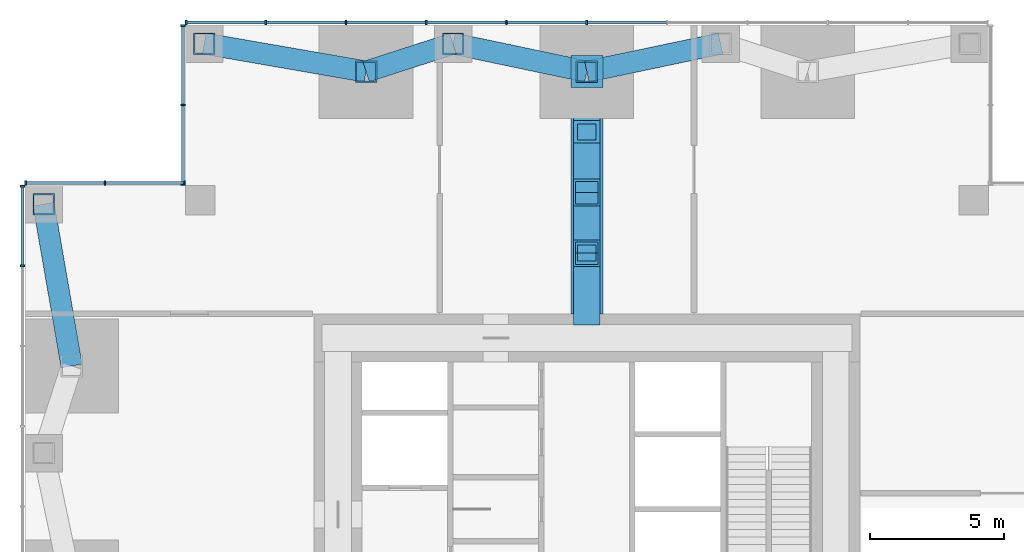
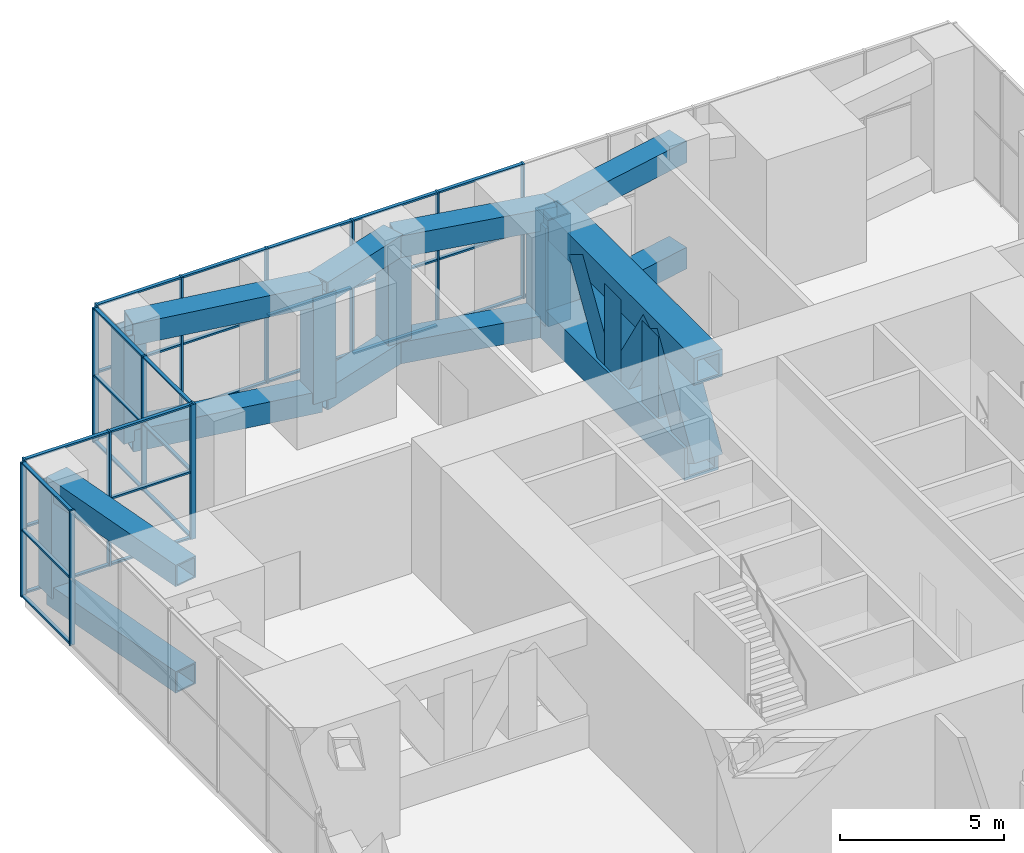
# One storey, part 7 of 13: 69 members, 4 elements without a shape of their own.
"""IFC4 building model written with IfcOpenShell, lengths in metres."""

import ifcopenshell
import ifcopenshell.guid

model = None  # the IFC model being written
_history = None  # IfcOwnerHistory: only IFC2X3 demands one
_inside = {}  # id of a spatial element -> (the spatial element, [elements in it])
_under = {}  # id of a project, library or spatial element -> (it, [spatial elements below it])
_declared = {}  # id of a project -> (the project, [libraries it declares])
_typed = {}  # id of a type object -> (the type object, [elements of that type])
_made_of = {}  # id of a material, layer set ... -> (it, [elements and type objects made of it])


def new_model(schema):
    """Start an empty IFC model of exactly this schema.

    Asked for "IFC4X3", IfcOpenShell would pick the latest addendum, in which some entities
    have other attributes; the version numbers below select the first issue.
    IFC2X3 requires an IfcOwnerHistory on every rooted entity: one is made here for all.
    """
    global model, _history
    if schema == "IFC4X3":
        model = ifcopenshell.file(schema_version=(4, 3, 0, 0))
    else:
        model = ifcopenshell.file(schema=schema)
    _inside.clear()
    _under.clear()
    _declared.clear()
    _typed.clear()
    _made_of.clear()
    _history = None
    if model.schema == "IFC2X3":
        org = make("IfcOrganization", Name="unknown")
        user = make(
            "IfcPersonAndOrganization",
            ThePerson=make("IfcPerson", FamilyName="unknown"),
            TheOrganization=org,
        )
        app = make(
            "IfcApplication",
            ApplicationDeveloper=org,
            Version="unknown",
            ApplicationFullName="unknown",
            ApplicationIdentifier="unknown",
        )
        _history = make(
            "IfcOwnerHistory",
            OwningUser=user,
            OwningApplication=app,
            ChangeAction="ADDED",
            CreationDate=0,
        )
    return model


def make(cls, **values):
    """One entity of the class cls with the attributes given. An attribute that is None is left unset."""
    return model.create_entity(
        cls, **{name: value for name, value in values.items() if value is not None}
    )


def rooted(cls, **values):
    """An entity with a GlobalId (a new one), such as an element, a storey or a relation."""
    return make(cls, GlobalId=ifcopenshell.guid.new(), OwnerHistory=_history, **values)


def si_unit(unit_type, name, prefix=None):
    """IfcSIUnit, for example si_unit("LENGTHUNIT", "METRE", prefix="MILLI")."""
    return make("IfcSIUnit", UnitType=unit_type, Prefix=prefix, Name=name)


def assignment(units):
    """IfcUnitAssignment: the units of a project."""
    return None if units is None else make("IfcUnitAssignment", Units=units)


def point(xyz):
    """IfcCartesianPoint."""
    return None if xyz is None else make("IfcCartesianPoint", Coordinates=xyz)


def direction(xyz):
    """IfcDirection."""
    return None if xyz is None else make("IfcDirection", DirectionRatios=xyz)


def frame(location, z_axis=None, x_axis=None):
    """IfcAxis2Placement3D, a coordinate frame: its origin and axes. An axis left out is left unset."""
    return make(
        "IfcAxis2Placement3D",
        Location=point(location),
        Axis=direction(z_axis),
        RefDirection=direction(x_axis),
    )


def frame_2d(location, x_axis=None):
    """IfcAxis2Placement2D, a coordinate frame in the plane: its origin and x axis."""
    return make(
        "IfcAxis2Placement2D", Location=point(location), RefDirection=direction(x_axis)
    )


def origin():
    """The frame at (0, 0, 0) with its axes left unset."""
    return frame((0.0, 0.0, 0.0))


def origin_2d():
    """The frame at (0, 0) in the plane with its x axis left unset."""
    return frame_2d((0.0, 0.0))


def place(relative_to, where):
    """IfcLocalPlacement: puts the frame where relative to a parent placement (None: the world)."""
    return make(
        "IfcLocalPlacement", PlacementRelTo=relative_to, RelativePlacement=where
    )


def context(
    kind, dimensions, precision=None, world=None, true_north=None, identifier=None
):
    """IfcGeometricRepresentationContext, for example the 3D "Model" context."""
    return make(
        "IfcGeometricRepresentationContext",
        ContextIdentifier=identifier,
        ContextType=kind,
        CoordinateSpaceDimension=dimensions,
        Precision=precision,
        WorldCoordinateSystem=world,
        TrueNorth=true_north,
    )


def subcontext(parent, identifier, kind, view, scale=None):
    """IfcGeometricRepresentationSubContext, for example "Body" below "Model"."""
    return make(
        "IfcGeometricRepresentationSubContext",
        ContextIdentifier=identifier,
        ContextType=kind,
        ParentContext=parent,
        TargetScale=scale,
        TargetView=view,
    )


def project(units=None, contexts=None):
    """IfcProject with its units and contexts."""
    return rooted(
        "IfcProject",
        Name="project",
        RepresentationContexts=contexts,
        UnitsInContext=assignment(units),
    )


def spatial(cls, under=None, at=None, **own):
    """A site, building, storey or space (cls), placed at a placement, below another one or the project."""
    s = rooted(cls, ObjectPlacement=at, **own)
    if under is not None:
        _under.setdefault(under.id(), (under, []))[1].append(s)
    return s


def profile(cls, at=None, kind="AREA", **sizes):
    """A parametric profile (cls). Its sizes go by their IFC names, for example OverallWidth=200.0."""
    return make(cls, ProfileType=kind, Position=at, **sizes)


def rectangle(**sizes):
    """IfcRectangleProfileDef."""
    return profile("IfcRectangleProfileDef", **sizes)


def hollow_rectangle(**sizes):
    """IfcRectangleHollowProfileDef."""
    return profile("IfcRectangleHollowProfileDef", **sizes)


def extrude(swept, where, along, depth):
    """IfcExtrudedAreaSolid: the profile swept, set in the frame where, extruded along a direction by depth."""
    return make(
        "IfcExtrudedAreaSolid",
        SweptArea=swept,
        Position=where,
        ExtrudedDirection=direction(along),
        Depth=depth,
    )


def shape(context_of_items, identifier, shape_type, items):
    """IfcShapeRepresentation: the items that make up one representation, for example the "Body"."""
    return make(
        "IfcShapeRepresentation",
        ContextOfItems=context_of_items,
        RepresentationIdentifier=identifier,
        RepresentationType=shape_type,
        Items=items,
    )


def material(Name=None, Category=None):
    """IfcMaterial."""
    return make("IfcMaterial", Name=Name, Category=Category)


def material_profile(
    of_material, cross_section, Name=None, Category=None, Priority=None
):
    """IfcMaterialProfile: a cross section and its material."""
    return make(
        "IfcMaterialProfile",
        Name=Name,
        Material=of_material,
        Profile=cross_section,
        Priority=Priority,
        Category=Category,
    )


def profile_set(profiles, Name=None, composite=None):
    """IfcMaterialProfileSet."""
    return make(
        "IfcMaterialProfileSet",
        Name=Name,
        MaterialProfiles=profiles,
        CompositeProfile=composite,
    )


def made_of(thing, what):
    """Note that an element or type object is made of a material, layer set ...; save() writes the relation."""
    if what is not None:
        _made_of.setdefault(what.id(), (what, []))[1].append(thing)
    return thing


def type_object(cls, material=None, **own):
    """A type object (cls), such as IfcWallType, which elements share."""
    return made_of(rooted(cls, **own), material)


def element(
    cls,
    number,
    at=None,
    inside=None,
    cuts=None,
    type_object=None,
    material=None,
    context=None,
    identifier="Body",
    shape_type=None,
    held_by="IfcProductDefinitionShape",
    body=None,
    shapes=None,
    **own,
):
    """One element of the class cls, such as IfcWall. Its Tag is "e" and its number.

    at: its placement. inside: the storey or other place that contains it. cuts: it is an
    opening in that element (IfcRelVoidsElement). A single representation is given by context,
    identifier, shape_type and body (its items); several are given by shapes. held_by: the class
    of the entity that holds the representations. save() writes the other relations.
    """
    e = rooted(cls, Tag="e%d" % number, ObjectPlacement=at, **own)
    if body is not None:
        shapes = [shape(context, identifier, shape_type, body)]
    if shapes is not None:
        e.Representation = make(held_by, Representations=shapes)
    if inside is not None:
        _inside.setdefault(inside.id(), (inside, []))[1].append(e)
    if cuts is not None:
        rooted(
            "IfcRelVoidsElement", RelatingBuildingElement=cuts, RelatedOpeningElement=e
        )
    if type_object is not None:
        _typed.setdefault(type_object.id(), (type_object, []))[1].append(e)
    return made_of(e, material)


def aggregate(whole, parts):
    """IfcRelAggregates: a whole, such as a stair, and the parts it consists of."""
    return rooted("IfcRelAggregates", RelatingObject=whole, RelatedObjects=parts)


def save(model, path):
    """Write the relations noted so far, then the file.

    IfcRelAggregates (storeys below a building ...), IfcRelContainedInSpatialStructure (elements
    in a storey), IfcRelDefinesByType, IfcRelAssociatesMaterial and IfcRelDeclares: one each for
    every whole, place, type object, material and project.
    """
    for whole, parts in _under.values():
        aggregate(whole, parts)
    for where, things in _inside.values():
        rooted(
            "IfcRelContainedInSpatialStructure",
            RelatedElements=things,
            RelatingStructure=where,
        )
    for kind, things in _typed.values():
        rooted("IfcRelDefinesByType", RelatedObjects=things, RelatingType=kind)
    for what, things in _made_of.values():
        rooted("IfcRelAssociatesMaterial", RelatedObjects=things, RelatingMaterial=what)
    for by, libraries in _declared.values():
        rooted("IfcRelDeclares", RelatingContext=by, RelatedDefinitions=libraries)
    model.write(path)


model = new_model("IFC4")

# Units and contexts
model_context = context("Model", 3, precision=1e-05, world=origin(), true_north=direction((0.0, 1.0)))
body_context = subcontext(model_context, "Body", "Model", "MODEL_VIEW")
ifc_project = project(units=[si_unit("LENGTHUNIT", "METRE"), si_unit("AREAUNIT", "SQUARE_METRE"), si_unit("VOLUMEUNIT", "CUBIC_METRE"), si_unit("PLANEANGLEUNIT", "RADIAN"), si_unit("MASSUNIT", "GRAM", prefix="KILO")], contexts=[model_context])

# Site, building, storey
site_placement = place(None, origin())
site = spatial("IfcSite", under=ifc_project, at=site_placement, CompositionType="ELEMENT")
building_placement = place(site_placement, origin())
building = spatial("IfcBuilding", under=site, at=building_placement, Name="Svetlomir Tower", CompositionType="ELEMENT")
storey_placement = place(building_placement, frame((0.0, 0.0, 86.5)))
storey = spatial("IfcBuildingStorey", under=building, at=storey_placement, Name="L20", CompositionType="ELEMENT", Elevation=86.5)

# Members
ifc_material_1 = material(Name="Steel S355", Category="steel")
ifc_material_profile_1 = material_profile(ifc_material_1, hollow_rectangle(XDim=0.800048828125, YDim=0.800048828125, WallThickness=0.050048828125, at=origin_2d()), Name="BOX 800x800x50")
ifc_profile_set_1 = profile_set([ifc_material_profile_1], Name="Steel S355")
member_type_1 = type_object("IfcMemberType", Name="BELT FRAME CHORD BOX 800x800x50", PredefinedType="CHORD", material=ifc_profile_set_1)
for number, where, z_axis, x_axis, name in (
    (1, (6.699951171875, 41.300048828125, 0.39990234375), (0.985270350891, -0.171003905378, 0.0), (0.171003905378, 0.985270350891, 0.0), "Belt frame N L20 bottom chord 1"),
    (2, (6.699951171875, 41.300048828125, 4.35009765625), (0.985270350891, -0.171003905378, 0.0), (0.171003905378, 0.985270350891, 0.0), "Belt frame N L20 top chord 1"),
):
    element("IfcMember", number, at=place(storey_placement, frame(where, z_axis=z_axis, x_axis=x_axis)), inside=storey, type_object=member_type_1, Name=name, PredefinedType="CHORD", context=body_context, shape_type="SweptSolid", body=[
        extrude(hollow_rectangle(XDim=0.800048828125, YDim=0.800048828125, WallThickness=0.050048828125, at=origin_2d()), origin(), (0.0, 0.0, 1.0), 6.140380859375),
    ])
for number, where, z_axis, x_axis, name in (
    (3, (12.75, 40.25, 0.39990234375), (0.951566360503, 0.307443428225, 0.0), (-0.307443428225, 0.951566360503, 0.0), "Belt frame N L20 bottom chord 2"),
    (4, (12.75, 40.25, 4.35009765625), (0.951566360503, 0.307443428225, 0.0), (-0.307443428225, 0.951566360503, 0.0), "Belt frame N L20 top chord 2"),
):
    element("IfcMember", number, at=place(storey_placement, frame(where, z_axis=z_axis, x_axis=x_axis)), inside=storey, type_object=member_type_1, Name=name, PredefinedType="CHORD", context=body_context, shape_type="SweptSolid", body=[
        extrude(hollow_rectangle(XDim=0.800048828125, YDim=0.800048828125, WallThickness=0.050048828125, at=origin_2d()), origin(), (0.0, 0.0, 1.0), 3.41552734375),
    ])
for number, where, z_axis, x_axis, name in (
    (5, (16.0, 41.300048828125, 0.39990234375), (0.978651574329, -0.205526387753, 0.0), (0.205526387753, 0.978651574329, 0.0), "Belt frame N L20 bottom chord 3"),
    (6, (16.0, 41.300048828125, 4.35009765625), (0.978651574329, -0.205526387753, 0.0), (0.205526387753, 0.978651574329, 0.0), "Belt frame N L20 top chord 3"),
    (7, (21.0, 40.25, 0.39990234375), (0.978651574329, 0.205526387753, 0.0), (-0.205526387753, 0.978651574329, 0.0), "Belt frame N L20 bottom chord 4"),
    (8, (21.0, 40.25, 4.35009765625), (0.978651574329, 0.205526387753, 0.0), (-0.205526387753, 0.978651574329, 0.0), "Belt frame N L20 top chord 4"),
):
    element("IfcMember", number, at=place(storey_placement, frame(where, z_axis=z_axis, x_axis=x_axis)), inside=storey, type_object=member_type_1, Name=name, PredefinedType="CHORD", context=body_context, shape_type="SweptSolid", body=[
        extrude(hollow_rectangle(XDim=0.800048828125, YDim=0.800048828125, WallThickness=0.050048828125, at=origin_2d()), origin(), (0.0, 0.0, 1.0), 5.109130859375),
    ])
for number, where, z_axis, x_axis, name in (
    (9, (1.75, 29.25, 0.39990234375), (-0.171003905378, 0.985270350891, 0.0), (-0.985270350891, -0.171003905378, 0.0), "Belt frame W L20 bottom chord 6"),
    (10, (1.75, 29.25, 4.35009765625), (-0.171003905378, 0.985270350891, 0.0), (-0.985270350891, -0.171003905378, 0.0), "Belt frame W L20 top chord 6"),
):
    element("IfcMember", number, at=place(storey_placement, frame(where, z_axis=z_axis, x_axis=x_axis)), inside=storey, type_object=member_type_1, Name=name, PredefinedType="CHORD", context=body_context, shape_type="SweptSolid", body=[
        extrude(hollow_rectangle(XDim=0.800048828125, YDim=0.800048828125, WallThickness=0.050048828125, at=origin_2d()), origin(), (0.0, 0.0, 1.0), 6.140380859375),
    ])
ifc_material_2 = material(Name="Steel S355", Category="steel")
ifc_material_profile_2 = material_profile(ifc_material_2, hollow_rectangle(XDim=0.800048828125, YDim=0.800048828125, WallThickness=0.050048828125, at=origin_2d()), Name="BOX 800x800x50")
ifc_profile_set_2 = profile_set([ifc_material_profile_2], Name="Steel S355")
member_type_2 = type_object("IfcMemberType", Name="BELT FRAME POST BOX 800x800x50", PredefinedType="POST", material=ifc_profile_set_2)
for number, where, z_axis, x_axis, name in (
    (11, (6.699951171875, 41.300048828125, 0.39990234375), (0.0, 0.0, 1.0), (1.0, 0.0, 0.0), "Belt frame N L20 post 1"),
    (12, (12.75, 40.25, 0.39990234375), (0.0, 0.0, 1.0), (1.0, 0.0, 0.0), "Belt frame N L20 post 2"),
    (13, (16.0, 41.300048828125, 0.39990234375), (0.0, 0.0, 1.0), (1.0, 0.0, 0.0), "Belt frame N L20 post 3"),
    (14, (21.0, 40.25, 0.39990234375), (0.0, 0.0, 1.0), (1.0, 0.0, 0.0), "Belt frame N L20 post 4"),
    (15, (0.699951171875, 35.300048828125, 0.39990234375), (0.0, 0.0, 1.0), (1.0, 0.0, 0.0), "Belt frame W L20 post 7"),
):
    element("IfcMember", number, at=place(storey_placement, frame(where, z_axis=z_axis, x_axis=x_axis)), inside=storey, type_object=member_type_2, Name=name, PredefinedType="POST", context=body_context, shape_type="SweptSolid", body=[
        extrude(hollow_rectangle(XDim=0.800048828125, YDim=0.800048828125, WallThickness=0.050048828125, at=origin_2d()), origin(), (0.0, 0.0, 1.0), 3.9501953125),
    ])

# Curtain wall, members
ifc_material_3 = material(Name="Bronze anodised aluminium curtain wall", Category="aluminium")
curtain_wall_type = type_object("IfcCurtainWallType", Name="CURTAIN WALL CW3 PLANT LOUVRE", PredefinedType="NOTDEFINED", material=ifc_material_3)
curtain_wall_1_placement = place(storey_placement, origin())
curtain_wall_1 = element("IfcCurtainWall", 16, at=curtain_wall_1_placement, inside=storey, type_object=curtain_wall_type, Name="Curtain wall CW3 L20", PredefinedType="NOTDEFINED")
ifc_material_4 = material(Name="Bronze anodised aluminium", Category="aluminium")
ifc_material_profile_3 = material_profile(ifc_material_4, rectangle(XDim=0.06494140625, YDim=0.179931640625, at=origin_2d()), Name="AL 65x180")
ifc_profile_set_3 = profile_set([ifc_material_profile_3], Name="Bronze anodised aluminium 6063-T6")
member_type_3 = type_object("IfcMemberType", Name="CW3 MULLION 65x180", PredefinedType="MULLION", material=ifc_profile_set_3)
member_1_placement = place(storey_placement, frame((21.0, 42.090087890625, 0.0), z_axis=(0.0, 0.0, 1.0), x_axis=(-1.0, 0.0, 0.0)))
member_1 = element("IfcMember", 17, at=member_1_placement, type_object=member_type_3, Name="CW3 mullion 6", PredefinedType="MULLION", context=body_context, shape_type="SweptSolid", body=[
    extrude(rectangle(XDim=0.06494140625, YDim=0.179931640625, at=origin_2d()), origin(), (0.0, 0.0, 1.0), 5.0),
])
member_2_placement = place(storey_placement, frame((18.0, 42.090087890625, 0.0), z_axis=(0.0, 0.0, 1.0), x_axis=(-1.0, 0.0, 0.0)))
member_2 = element("IfcMember", 18, at=member_2_placement, type_object=member_type_3, Name="CW3 mullion 7", PredefinedType="MULLION", context=body_context, shape_type="SweptSolid", body=[
    extrude(rectangle(XDim=0.06494140625, YDim=0.179931640625, at=origin_2d()), origin(), (0.0, 0.0, 1.0), 5.0),
])
member_3_placement = place(storey_placement, frame((15.0, 42.090087890625, 0.0), z_axis=(0.0, 0.0, 1.0), x_axis=(-1.0, 0.0, 0.0)))
member_3 = element("IfcMember", 19, at=member_3_placement, type_object=member_type_3, Name="CW3 mullion 8", PredefinedType="MULLION", context=body_context, shape_type="SweptSolid", body=[
    extrude(rectangle(XDim=0.06494140625, YDim=0.179931640625, at=origin_2d()), origin(), (0.0, 0.0, 1.0), 5.0),
])
member_4_placement = place(storey_placement, frame((12.0, 42.090087890625, 0.0), z_axis=(0.0, 0.0, 1.0), x_axis=(-1.0, 0.0, 0.0)))
member_4 = element("IfcMember", 20, at=member_4_placement, type_object=member_type_3, Name="CW3 mullion 9", PredefinedType="MULLION", context=body_context, shape_type="SweptSolid", body=[
    extrude(rectangle(XDim=0.06494140625, YDim=0.179931640625, at=origin_2d()), origin(), (0.0, 0.0, 1.0), 5.0),
])
member_5_placement = place(storey_placement, frame((9.0, 42.090087890625, 0.0), z_axis=(0.0, 0.0, 1.0), x_axis=(-1.0, 0.0, 0.0)))
member_5 = element("IfcMember", 21, at=member_5_placement, type_object=member_type_3, Name="CW3 mullion 10", PredefinedType="MULLION", context=body_context, shape_type="SweptSolid", body=[
    extrude(rectangle(XDim=0.06494140625, YDim=0.179931640625, at=origin_2d()), origin(), (0.0, 0.0, 1.0), 5.0),
])
member_6_placement = place(storey_placement, frame((6.032470703125, 42.090087890625, 0.0), z_axis=(0.0, 0.0, 1.0), x_axis=(-1.0, 0.0, 0.0)))
member_6 = element("IfcMember", 22, at=member_6_placement, type_object=member_type_3, Name="CW3 mullion 11", PredefinedType="MULLION", context=body_context, shape_type="SweptSolid", body=[
    extrude(rectangle(XDim=0.06494140625, YDim=0.179931640625, at=origin_2d()), origin(), (0.0, 0.0, 1.0), 5.0),
])

curtain_wall_2_placement = place(storey_placement, origin())
curtain_wall_2 = element("IfcCurtainWall", 23, at=curtain_wall_2_placement, inside=storey, type_object=curtain_wall_type, Name="Curtain wall CW3 L20", PredefinedType="NOTDEFINED")
member_7_placement = place(storey_placement, frame((5.909912109375, 41.967529296875, 0.0), z_axis=(0.0, 0.0, 1.0), x_axis=(0.0, -1.0, 0.0)))
member_7 = element("IfcMember", 24, at=member_7_placement, type_object=member_type_3, Name="CW3 mullion 1", PredefinedType="MULLION", context=body_context, shape_type="SweptSolid", body=[
    extrude(rectangle(XDim=0.06494140625, YDim=0.179931640625, at=origin_2d()), origin(), (0.0, 0.0, 1.0), 5.0),
])
member_8_placement = place(storey_placement, frame((5.909912109375, 39.0, 0.0), z_axis=(0.0, 0.0, 1.0), x_axis=(0.0, -1.0, 0.0)))
member_8 = element("IfcMember", 25, at=member_8_placement, type_object=member_type_3, Name="CW3 mullion 2", PredefinedType="MULLION", context=body_context, shape_type="SweptSolid", body=[
    extrude(rectangle(XDim=0.06494140625, YDim=0.179931640625, at=origin_2d()), origin(), (0.0, 0.0, 1.0), 5.0),
])
member_9_placement = place(storey_placement, frame((5.909912109375, 36.032470703125, 0.0), z_axis=(0.0, 0.0, 1.0), x_axis=(0.0, -1.0, 0.0)))
member_9 = element("IfcMember", 26, at=member_9_placement, type_object=member_type_3, Name="CW3 mullion 3", PredefinedType="MULLION", context=body_context, shape_type="SweptSolid", body=[
    extrude(rectangle(XDim=0.06494140625, YDim=0.179931640625, at=origin_2d()), origin(), (0.0, 0.0, 1.0), 5.0),
])

curtain_wall_3_placement = place(storey_placement, origin())
curtain_wall_3 = element("IfcCurtainWall", 27, at=curtain_wall_3_placement, inside=storey, type_object=curtain_wall_type, Name="Curtain wall CW3 L20", PredefinedType="NOTDEFINED")
member_10_placement = place(storey_placement, frame((5.967529296875, 36.090087890625, 0.0), z_axis=(0.0, 0.0, 1.0), x_axis=(-1.0, 0.0, 0.0)))
member_10 = element("IfcMember", 28, at=member_10_placement, type_object=member_type_3, Name="CW3 mullion 1", PredefinedType="MULLION", context=body_context, shape_type="SweptSolid", body=[
    extrude(rectangle(XDim=0.06494140625, YDim=0.179931640625, at=origin_2d()), origin(), (0.0, 0.0, 1.0), 5.0),
])
member_11_placement = place(storey_placement, frame((3.0, 36.090087890625, 0.0), z_axis=(0.0, 0.0, 1.0), x_axis=(-1.0, 0.0, 0.0)))
member_11 = element("IfcMember", 29, at=member_11_placement, type_object=member_type_3, Name="CW3 mullion 2", PredefinedType="MULLION", context=body_context, shape_type="SweptSolid", body=[
    extrude(rectangle(XDim=0.06494140625, YDim=0.179931640625, at=origin_2d()), origin(), (0.0, 0.0, 1.0), 5.0),
])
member_12_placement = place(storey_placement, frame((0.032470703125, 36.090087890625, 0.0), z_axis=(0.0, 0.0, 1.0), x_axis=(-1.0, 0.0, 0.0)))
member_12 = element("IfcMember", 30, at=member_12_placement, type_object=member_type_3, Name="CW3 mullion 3", PredefinedType="MULLION", context=body_context, shape_type="SweptSolid", body=[
    extrude(rectangle(XDim=0.06494140625, YDim=0.179931640625, at=origin_2d()), origin(), (0.0, 0.0, 1.0), 5.0),
])

curtain_wall_4_placement = place(storey_placement, origin())
curtain_wall_4 = element("IfcCurtainWall", 31, at=curtain_wall_4_placement, inside=storey, type_object=curtain_wall_type, Name="Curtain wall CW3 L20", PredefinedType="NOTDEFINED")
member_13_placement = place(storey_placement, frame((-0.090087890625, 35.967529296875, 0.0), z_axis=(0.0, 0.0, 1.0), x_axis=(0.0, -1.0, 0.0)))
member_13 = element("IfcMember", 32, at=member_13_placement, type_object=member_type_3, Name="CW3 mullion 1", PredefinedType="MULLION", context=body_context, shape_type="SweptSolid", body=[
    extrude(rectangle(XDim=0.06494140625, YDim=0.179931640625, at=origin_2d()), origin(), (0.0, 0.0, 1.0), 5.0),
])
member_14_placement = place(storey_placement, frame((-0.090087890625, 33.0, 0.0), z_axis=(0.0, 0.0, 1.0), x_axis=(0.0, -1.0, 0.0)))
member_14 = element("IfcMember", 33, at=member_14_placement, type_object=member_type_3, Name="CW3 mullion 2", PredefinedType="MULLION", context=body_context, shape_type="SweptSolid", body=[
    extrude(rectangle(XDim=0.06494140625, YDim=0.179931640625, at=origin_2d()), origin(), (0.0, 0.0, 1.0), 5.0),
])

# Member
ifc_material_5 = material(Name="Bronze anodised aluminium", Category="aluminium")
ifc_material_profile_4 = material_profile(ifc_material_5, rectangle(XDim=0.1201171875, YDim=0.06494140625, at=origin_2d()), Name="AL 120x65")
ifc_profile_set_4 = profile_set([ifc_material_profile_4], Name="Bronze anodised aluminium 6063-T6")
member_type_4 = type_object("IfcMemberType", Name="CW3 TRANSOM 65x120", PredefinedType="USERDEFINED", material=ifc_profile_set_4)
member_15_placement = place(storey_placement, frame((23.967529296875, 42.090087890625, 0.032470703125), z_axis=(-1.0, 0.0, 0.0), x_axis=(0.0, -1.0, 0.0)))
member_15 = element("IfcMember", 34, at=member_15_placement, type_object=member_type_4, Name="CW3 transom 5.1", ObjectType="TRANSOM", PredefinedType="USERDEFINED", context=body_context, shape_type="SweptSolid", body=[
    extrude(rectangle(XDim=0.1201171875, YDim=0.06494140625, at=origin_2d()), origin(), (0.0, 0.0, 1.0), 2.93505859375),
])

member_16_placement = place(storey_placement, frame((23.967529296875, 42.090087890625, 2.48388671875), z_axis=(-1.0, 0.0, 0.0), x_axis=(0.0, -1.0, 0.0)))
member_16 = element("IfcMember", 35, at=member_16_placement, type_object=member_type_4, Name="CW3 transom 5.2", ObjectType="TRANSOM", PredefinedType="USERDEFINED", context=body_context, shape_type="SweptSolid", body=[
    extrude(rectangle(XDim=0.1201171875, YDim=0.06494140625, at=origin_2d()), origin(), (0.0, 0.0, 1.0), 2.93505859375),
])

member_17_placement = place(storey_placement, frame((20.967529296875, 42.090087890625, 0.032470703125), z_axis=(-1.0, 0.0, 0.0), x_axis=(0.0, -1.0, 0.0)))
member_17 = element("IfcMember", 36, at=member_17_placement, type_object=member_type_4, Name="CW3 transom 6.1", ObjectType="TRANSOM", PredefinedType="USERDEFINED", context=body_context, shape_type="SweptSolid", body=[
    extrude(rectangle(XDim=0.1201171875, YDim=0.06494140625, at=origin_2d()), origin(), (0.0, 0.0, 1.0), 2.93505859375),
])

member_18_placement = place(storey_placement, frame((20.967529296875, 42.090087890625, 2.48388671875), z_axis=(-1.0, 0.0, 0.0), x_axis=(0.0, -1.0, 0.0)))
member_18 = element("IfcMember", 37, at=member_18_placement, type_object=member_type_4, Name="CW3 transom 6.2", ObjectType="TRANSOM", PredefinedType="USERDEFINED", context=body_context, shape_type="SweptSolid", body=[
    extrude(rectangle(XDim=0.1201171875, YDim=0.06494140625, at=origin_2d()), origin(), (0.0, 0.0, 1.0), 2.93505859375),
])

member_19_placement = place(storey_placement, frame((20.967529296875, 42.090087890625, 4.967529296875), z_axis=(-1.0, 0.0, 0.0), x_axis=(0.0, -1.0, 0.0)))
member_19 = element("IfcMember", 38, at=member_19_placement, type_object=member_type_4, Name="CW3 transom 6.3", ObjectType="TRANSOM", PredefinedType="USERDEFINED", context=body_context, shape_type="SweptSolid", body=[
    extrude(rectangle(XDim=0.1201171875, YDim=0.06494140625, at=origin_2d()), origin(), (0.0, 0.0, 1.0), 2.93505859375),
])

member_20_placement = place(storey_placement, frame((17.967529296875, 42.090087890625, 0.032470703125), z_axis=(-1.0, 0.0, 0.0), x_axis=(0.0, -1.0, 0.0)))
member_20 = element("IfcMember", 39, at=member_20_placement, type_object=member_type_4, Name="CW3 transom 7.1", ObjectType="TRANSOM", PredefinedType="USERDEFINED", context=body_context, shape_type="SweptSolid", body=[
    extrude(rectangle(XDim=0.1201171875, YDim=0.06494140625, at=origin_2d()), origin(), (0.0, 0.0, 1.0), 2.93505859375),
])

member_21_placement = place(storey_placement, frame((17.967529296875, 42.090087890625, 2.48388671875), z_axis=(-1.0, 0.0, 0.0), x_axis=(0.0, -1.0, 0.0)))
member_21 = element("IfcMember", 40, at=member_21_placement, type_object=member_type_4, Name="CW3 transom 7.2", ObjectType="TRANSOM", PredefinedType="USERDEFINED", context=body_context, shape_type="SweptSolid", body=[
    extrude(rectangle(XDim=0.1201171875, YDim=0.06494140625, at=origin_2d()), origin(), (0.0, 0.0, 1.0), 2.93505859375),
])

member_22_placement = place(storey_placement, frame((17.967529296875, 42.090087890625, 4.967529296875), z_axis=(-1.0, 0.0, 0.0), x_axis=(0.0, -1.0, 0.0)))
member_22 = element("IfcMember", 41, at=member_22_placement, type_object=member_type_4, Name="CW3 transom 7.3", ObjectType="TRANSOM", PredefinedType="USERDEFINED", context=body_context, shape_type="SweptSolid", body=[
    extrude(rectangle(XDim=0.1201171875, YDim=0.06494140625, at=origin_2d()), origin(), (0.0, 0.0, 1.0), 2.93505859375),
])

member_23_placement = place(storey_placement, frame((14.967529296875, 42.090087890625, 0.032470703125), z_axis=(-1.0, 0.0, 0.0), x_axis=(0.0, -1.0, 0.0)))
member_23 = element("IfcMember", 42, at=member_23_placement, type_object=member_type_4, Name="CW3 transom 8.1", ObjectType="TRANSOM", PredefinedType="USERDEFINED", context=body_context, shape_type="SweptSolid", body=[
    extrude(rectangle(XDim=0.1201171875, YDim=0.06494140625, at=origin_2d()), origin(), (0.0, 0.0, 1.0), 2.93505859375),
])

member_24_placement = place(storey_placement, frame((14.967529296875, 42.090087890625, 2.48388671875), z_axis=(-1.0, 0.0, 0.0), x_axis=(0.0, -1.0, 0.0)))
member_24 = element("IfcMember", 43, at=member_24_placement, type_object=member_type_4, Name="CW3 transom 8.2", ObjectType="TRANSOM", PredefinedType="USERDEFINED", context=body_context, shape_type="SweptSolid", body=[
    extrude(rectangle(XDim=0.1201171875, YDim=0.06494140625, at=origin_2d()), origin(), (0.0, 0.0, 1.0), 2.93505859375),
])

member_25_placement = place(storey_placement, frame((14.967529296875, 42.090087890625, 4.967529296875), z_axis=(-1.0, 0.0, 0.0), x_axis=(0.0, -1.0, 0.0)))
member_25 = element("IfcMember", 44, at=member_25_placement, type_object=member_type_4, Name="CW3 transom 8.3", ObjectType="TRANSOM", PredefinedType="USERDEFINED", context=body_context, shape_type="SweptSolid", body=[
    extrude(rectangle(XDim=0.1201171875, YDim=0.06494140625, at=origin_2d()), origin(), (0.0, 0.0, 1.0), 2.93505859375),
])

member_26_placement = place(storey_placement, frame((11.967529296875, 42.090087890625, 0.032470703125), z_axis=(-1.0, 0.0, 0.0), x_axis=(0.0, -1.0, 0.0)))
member_26 = element("IfcMember", 45, at=member_26_placement, type_object=member_type_4, Name="CW3 transom 9.1", ObjectType="TRANSOM", PredefinedType="USERDEFINED", context=body_context, shape_type="SweptSolid", body=[
    extrude(rectangle(XDim=0.1201171875, YDim=0.06494140625, at=origin_2d()), origin(), (0.0, 0.0, 1.0), 2.93505859375),
])

member_27_placement = place(storey_placement, frame((11.967529296875, 42.090087890625, 2.48388671875), z_axis=(-1.0, 0.0, 0.0), x_axis=(0.0, -1.0, 0.0)))
member_27 = element("IfcMember", 46, at=member_27_placement, type_object=member_type_4, Name="CW3 transom 9.2", ObjectType="TRANSOM", PredefinedType="USERDEFINED", context=body_context, shape_type="SweptSolid", body=[
    extrude(rectangle(XDim=0.1201171875, YDim=0.06494140625, at=origin_2d()), origin(), (0.0, 0.0, 1.0), 2.93505859375),
])

member_28_placement = place(storey_placement, frame((11.967529296875, 42.090087890625, 4.967529296875), z_axis=(-1.0, 0.0, 0.0), x_axis=(0.0, -1.0, 0.0)))
member_28 = element("IfcMember", 47, at=member_28_placement, type_object=member_type_4, Name="CW3 transom 9.3", ObjectType="TRANSOM", PredefinedType="USERDEFINED", context=body_context, shape_type="SweptSolid", body=[
    extrude(rectangle(XDim=0.1201171875, YDim=0.06494140625, at=origin_2d()), origin(), (0.0, 0.0, 1.0), 2.93505859375),
])

member_29_placement = place(storey_placement, frame((8.967529296875, 42.090087890625, 0.032470703125), z_axis=(-1.0, 0.0, 0.0), x_axis=(0.0, -1.0, 0.0)))
member_29 = element("IfcMember", 48, at=member_29_placement, type_object=member_type_4, Name="CW3 transom 10.1", ObjectType="TRANSOM", PredefinedType="USERDEFINED", context=body_context, shape_type="SweptSolid", body=[
    extrude(rectangle(XDim=0.1201171875, YDim=0.06494140625, at=origin_2d()), origin(), (0.0, 0.0, 1.0), 2.902587890625),
])

member_30_placement = place(storey_placement, frame((8.967529296875, 42.090087890625, 2.48388671875), z_axis=(-1.0, 0.0, 0.0), x_axis=(0.0, -1.0, 0.0)))
member_30 = element("IfcMember", 49, at=member_30_placement, type_object=member_type_4, Name="CW3 transom 10.2", ObjectType="TRANSOM", PredefinedType="USERDEFINED", context=body_context, shape_type="SweptSolid", body=[
    extrude(rectangle(XDim=0.1201171875, YDim=0.06494140625, at=origin_2d()), origin(), (0.0, 0.0, 1.0), 2.902587890625),
])

member_31_placement = place(storey_placement, frame((8.967529296875, 42.090087890625, 4.967529296875), z_axis=(-1.0, 0.0, 0.0), x_axis=(0.0, -1.0, 0.0)))
member_31 = element("IfcMember", 50, at=member_31_placement, type_object=member_type_4, Name="CW3 transom 10.3", ObjectType="TRANSOM", PredefinedType="USERDEFINED", context=body_context, shape_type="SweptSolid", body=[
    extrude(rectangle(XDim=0.1201171875, YDim=0.06494140625, at=origin_2d()), origin(), (0.0, 0.0, 1.0), 2.902587890625),
])

aggregate(curtain_wall_1, [member_1, member_2, member_3, member_4, member_5, member_6, member_15, member_16, member_17, member_18, member_19, member_20, member_21, member_22, member_23, member_24, member_25, member_26, member_27, member_28, member_29, member_30, member_31])

member_32_placement = place(storey_placement, frame((5.909912109375, 41.93505859375, 0.032470703125), z_axis=(0.0, -1.0, 0.0), x_axis=(1.0, 0.0, 0.0)))
member_32 = element("IfcMember", 51, at=member_32_placement, type_object=member_type_4, Name="CW3 transom 1.1", ObjectType="TRANSOM", PredefinedType="USERDEFINED", context=body_context, shape_type="SweptSolid", body=[
    extrude(rectangle(XDim=0.1201171875, YDim=0.06494140625, at=origin_2d()), origin(), (0.0, 0.0, 1.0), 2.902587890625),
])

member_33_placement = place(storey_placement, frame((5.909912109375, 41.93505859375, 2.48388671875), z_axis=(0.0, -1.0, 0.0), x_axis=(1.0, 0.0, 0.0)))
member_33 = element("IfcMember", 52, at=member_33_placement, type_object=member_type_4, Name="CW3 transom 1.2", ObjectType="TRANSOM", PredefinedType="USERDEFINED", context=body_context, shape_type="SweptSolid", body=[
    extrude(rectangle(XDim=0.1201171875, YDim=0.06494140625, at=origin_2d()), origin(), (0.0, 0.0, 1.0), 2.902587890625),
])

member_34_placement = place(storey_placement, frame((5.909912109375, 41.93505859375, 4.967529296875), z_axis=(0.0, -1.0, 0.0), x_axis=(1.0, 0.0, 0.0)))
member_34 = element("IfcMember", 53, at=member_34_placement, type_object=member_type_4, Name="CW3 transom 1.3", ObjectType="TRANSOM", PredefinedType="USERDEFINED", context=body_context, shape_type="SweptSolid", body=[
    extrude(rectangle(XDim=0.1201171875, YDim=0.06494140625, at=origin_2d()), origin(), (0.0, 0.0, 1.0), 2.902587890625),
])

member_35_placement = place(storey_placement, frame((5.909912109375, 38.967529296875, 0.032470703125), z_axis=(0.0, -1.0, 0.0), x_axis=(1.0, 0.0, 0.0)))
member_35 = element("IfcMember", 54, at=member_35_placement, type_object=member_type_4, Name="CW3 transom 2.1", ObjectType="TRANSOM", PredefinedType="USERDEFINED", context=body_context, shape_type="SweptSolid", body=[
    extrude(rectangle(XDim=0.1201171875, YDim=0.06494140625, at=origin_2d()), origin(), (0.0, 0.0, 1.0), 2.902587890625),
])

member_36_placement = place(storey_placement, frame((5.909912109375, 38.967529296875, 2.48388671875), z_axis=(0.0, -1.0, 0.0), x_axis=(1.0, 0.0, 0.0)))
member_36 = element("IfcMember", 55, at=member_36_placement, type_object=member_type_4, Name="CW3 transom 2.2", ObjectType="TRANSOM", PredefinedType="USERDEFINED", context=body_context, shape_type="SweptSolid", body=[
    extrude(rectangle(XDim=0.1201171875, YDim=0.06494140625, at=origin_2d()), origin(), (0.0, 0.0, 1.0), 2.902587890625),
])

member_37_placement = place(storey_placement, frame((5.909912109375, 38.967529296875, 4.967529296875), z_axis=(0.0, -1.0, 0.0), x_axis=(1.0, 0.0, 0.0)))
member_37 = element("IfcMember", 56, at=member_37_placement, type_object=member_type_4, Name="CW3 transom 2.3", ObjectType="TRANSOM", PredefinedType="USERDEFINED", context=body_context, shape_type="SweptSolid", body=[
    extrude(rectangle(XDim=0.1201171875, YDim=0.06494140625, at=origin_2d()), origin(), (0.0, 0.0, 1.0), 2.902587890625),
])

aggregate(curtain_wall_2, [member_7, member_8, member_9, member_32, member_33, member_34, member_35, member_36, member_37])

member_38_placement = place(storey_placement, frame((5.93505859375, 36.090087890625, 0.032470703125), z_axis=(-1.0, 0.0, 0.0), x_axis=(0.0, -1.0, 0.0)))
member_38 = element("IfcMember", 57, at=member_38_placement, type_object=member_type_4, Name="CW3 transom 1.1", ObjectType="TRANSOM", PredefinedType="USERDEFINED", context=body_context, shape_type="SweptSolid", body=[
    extrude(rectangle(XDim=0.1201171875, YDim=0.06494140625, at=origin_2d()), origin(), (0.0, 0.0, 1.0), 2.902587890625),
])

member_39_placement = place(storey_placement, frame((5.93505859375, 36.090087890625, 2.48388671875), z_axis=(-1.0, 0.0, 0.0), x_axis=(0.0, -1.0, 0.0)))
member_39 = element("IfcMember", 58, at=member_39_placement, type_object=member_type_4, Name="CW3 transom 1.2", ObjectType="TRANSOM", PredefinedType="USERDEFINED", context=body_context, shape_type="SweptSolid", body=[
    extrude(rectangle(XDim=0.1201171875, YDim=0.06494140625, at=origin_2d()), origin(), (0.0, 0.0, 1.0), 2.902587890625),
])

member_40_placement = place(storey_placement, frame((5.93505859375, 36.090087890625, 4.967529296875), z_axis=(-1.0, 0.0, 0.0), x_axis=(0.0, -1.0, 0.0)))
member_40 = element("IfcMember", 59, at=member_40_placement, type_object=member_type_4, Name="CW3 transom 1.3", ObjectType="TRANSOM", PredefinedType="USERDEFINED", context=body_context, shape_type="SweptSolid", body=[
    extrude(rectangle(XDim=0.1201171875, YDim=0.06494140625, at=origin_2d()), origin(), (0.0, 0.0, 1.0), 2.902587890625),
])

member_41_placement = place(storey_placement, frame((2.967529296875, 36.090087890625, 0.032470703125), z_axis=(-1.0, 0.0, 0.0), x_axis=(0.0, -1.0, 0.0)))
member_41 = element("IfcMember", 60, at=member_41_placement, type_object=member_type_4, Name="CW3 transom 2.1", ObjectType="TRANSOM", PredefinedType="USERDEFINED", context=body_context, shape_type="SweptSolid", body=[
    extrude(rectangle(XDim=0.1201171875, YDim=0.06494140625, at=origin_2d()), origin(), (0.0, 0.0, 1.0), 2.902587890625),
])

member_42_placement = place(storey_placement, frame((2.967529296875, 36.090087890625, 2.48388671875), z_axis=(-1.0, 0.0, 0.0), x_axis=(0.0, -1.0, 0.0)))
member_42 = element("IfcMember", 61, at=member_42_placement, type_object=member_type_4, Name="CW3 transom 2.2", ObjectType="TRANSOM", PredefinedType="USERDEFINED", context=body_context, shape_type="SweptSolid", body=[
    extrude(rectangle(XDim=0.1201171875, YDim=0.06494140625, at=origin_2d()), origin(), (0.0, 0.0, 1.0), 2.902587890625),
])

member_43_placement = place(storey_placement, frame((2.967529296875, 36.090087890625, 4.967529296875), z_axis=(-1.0, 0.0, 0.0), x_axis=(0.0, -1.0, 0.0)))
member_43 = element("IfcMember", 62, at=member_43_placement, type_object=member_type_4, Name="CW3 transom 2.3", ObjectType="TRANSOM", PredefinedType="USERDEFINED", context=body_context, shape_type="SweptSolid", body=[
    extrude(rectangle(XDim=0.1201171875, YDim=0.06494140625, at=origin_2d()), origin(), (0.0, 0.0, 1.0), 2.902587890625),
])

aggregate(curtain_wall_3, [member_10, member_11, member_12, member_38, member_39, member_40, member_41, member_42, member_43])

member_44_placement = place(storey_placement, frame((-0.090087890625, 35.93505859375, 0.032470703125), z_axis=(0.0, -1.0, 0.0), x_axis=(1.0, 0.0, 0.0)))
member_44 = element("IfcMember", 63, at=member_44_placement, type_object=member_type_4, Name="CW3 transom 1.1", ObjectType="TRANSOM", PredefinedType="USERDEFINED", context=body_context, shape_type="SweptSolid", body=[
    extrude(rectangle(XDim=0.1201171875, YDim=0.06494140625, at=origin_2d()), origin(), (0.0, 0.0, 1.0), 2.902587890625),
])

member_45_placement = place(storey_placement, frame((-0.090087890625, 35.93505859375, 2.48388671875), z_axis=(0.0, -1.0, 0.0), x_axis=(1.0, 0.0, 0.0)))
member_45 = element("IfcMember", 64, at=member_45_placement, type_object=member_type_4, Name="CW3 transom 1.2", ObjectType="TRANSOM", PredefinedType="USERDEFINED", context=body_context, shape_type="SweptSolid", body=[
    extrude(rectangle(XDim=0.1201171875, YDim=0.06494140625, at=origin_2d()), origin(), (0.0, 0.0, 1.0), 2.902587890625),
])

member_46_placement = place(storey_placement, frame((-0.090087890625, 35.93505859375, 4.967529296875), z_axis=(0.0, -1.0, 0.0), x_axis=(1.0, 0.0, 0.0)))
member_46 = element("IfcMember", 65, at=member_46_placement, type_object=member_type_4, Name="CW3 transom 1.3", ObjectType="TRANSOM", PredefinedType="USERDEFINED", context=body_context, shape_type="SweptSolid", body=[
    extrude(rectangle(XDim=0.1201171875, YDim=0.06494140625, at=origin_2d()), origin(), (0.0, 0.0, 1.0), 2.902587890625),
])

aggregate(curtain_wall_4, [member_13, member_14, member_44, member_45, member_46])

# Members
ifc_material_6 = material(Name="Steel S355", Category="steel")
ifc_material_profile_5 = material_profile(ifc_material_6, hollow_rectangle(XDim=1.0, YDim=1.0, WallThickness=0.1201171875, at=origin_2d()), Name="BOX 1000x1000x120")
ifc_profile_set_5 = profile_set([ifc_material_profile_5], Name="Steel S355")
member_type_5 = type_object("IfcMemberType", Name="OUTRIGGER CHORD BOX 1000x1000x120", PredefinedType="CHORD", material=ifc_profile_set_5)
member_47_placement = place(storey_placement, frame((21.0, 30.800048828125, 4.25), z_axis=(0.0, 1.0, 0.0), x_axis=(-1.0, 0.0, 0.0)))
element("IfcMember", 66, at=member_47_placement, inside=storey, type_object=member_type_5, Name="Outrigger N L20 top chord", PredefinedType="CHORD", context=body_context, shape_type="SweptSolid", body=[
    extrude(hollow_rectangle(XDim=1.0, YDim=1.0, WallThickness=0.1201171875, at=origin_2d()), origin(), (0.0, 0.0, 1.0), 9.449951171875),
])
ifc_material_7 = material(Name="Steel S355", Category="steel")
ifc_material_profile_6 = material_profile(ifc_material_7, hollow_rectangle(XDim=1.199951171875, YDim=1.199951171875, WallThickness=0.14990234375, at=origin_2d()), Name="BOX 1200x1200x150")
ifc_profile_set_6 = profile_set([ifc_material_profile_6], Name="Steel S355")
member_type_6 = type_object("IfcMemberType", Name="OUTRIGGER CHORD BOX 1200x1200x150", PredefinedType="CHORD", material=ifc_profile_set_6)
member_48_placement = place(storey_placement, frame((21.0, 31.199951171875, 0.60009765625), z_axis=(0.0, 1.0, 0.0), x_axis=(-1.0, 0.0, 0.0)))
element("IfcMember", 67, at=member_48_placement, inside=storey, type_object=member_type_6, Name="Outrigger N L20 bottom chord", PredefinedType="CHORD", context=body_context, shape_type="SweptSolid", body=[
    extrude(hollow_rectangle(XDim=1.199951171875, YDim=1.199951171875, WallThickness=0.14990234375, at=origin_2d()), origin(), (0.0, 0.0, 1.0), 9.050048828125),
])
ifc_material_8 = material(Name="Steel S355", Category="steel")
ifc_material_profile_7 = material_profile(ifc_material_8, hollow_rectangle(XDim=1.0, YDim=1.0, WallThickness=0.14990234375, at=origin_2d()), Name="BOX 1000x1000x150")
ifc_profile_set_7 = profile_set([ifc_material_profile_7], Name="Steel S355")
member_type_7 = type_object("IfcMemberType", Name="OUTRIGGER DIAGONAL BOX 1000x1000x150", PredefinedType="BRACE", material=ifc_profile_set_7)
member_49_placement = place(storey_placement, frame((21.0, 31.199951171875, 0.60009765625), z_axis=(0.0, 0.527596228415, 0.849495273538), x_axis=(-1.0, 0.0, 0.0)))
element("IfcMember", 68, at=member_49_placement, inside=storey, type_object=member_type_7, Name="Outrigger N L20 diagonal 1", PredefinedType="BRACE", context=body_context, shape_type="SweptSolid", body=[
    extrude(hollow_rectangle(XDim=1.0, YDim=1.0, WallThickness=0.14990234375, at=origin_2d()), origin(), (0.0, 0.0, 1.0), 4.296630859375),
])
for number, where, z_axis, x_axis, name in (
    (69, (21.0, 33.466796875, 4.25), (0.0, 0.527555221109, -0.849520740583), (-1.0, 0.0, 0.0), "Outrigger N L20 diagonal 2"),
    (70, (21.0, 35.7333984375, 0.60009765625), (0.0, 0.527555221109, 0.849520740583), (-1.0, 0.0, 0.0), "Outrigger N L20 diagonal 3"),
):
    element("IfcMember", number, at=place(storey_placement, frame(where, z_axis=z_axis, x_axis=x_axis)), inside=storey, type_object=member_type_7, Name=name, PredefinedType="BRACE", context=body_context, shape_type="SweptSolid", body=[
        extrude(hollow_rectangle(XDim=1.0, YDim=1.0, WallThickness=0.14990234375, at=origin_2d()), origin(), (0.0, 0.0, 1.0), 4.29638671875),
    ])
ifc_material_9 = material(Name="Steel S355", Category="steel")
ifc_material_profile_8 = material_profile(ifc_material_9, hollow_rectangle(XDim=1.199951171875, YDim=1.199951171875, WallThickness=0.199951171875, at=origin_2d()), Name="BOX 1200x1200x200")
ifc_profile_set_8 = profile_set([ifc_material_profile_8], Name="Steel S355")
member_type_8 = type_object("IfcMemberType", Name="OUTRIGGER END POST BOX 1200x1200x200", PredefinedType="POST", material=ifc_profile_set_8)
member_50_placement = place(storey_placement, frame((21.0, 40.25, 0.60009765625), z_axis=(0.0, 0.0, 1.0), x_axis=(1.0, 0.0, 0.0)))
element("IfcMember", 71, at=member_50_placement, inside=storey, type_object=member_type_8, Name="Outrigger N L20 end post", PredefinedType="POST", context=body_context, shape_type="SweptSolid", body=[
    extrude(hollow_rectangle(XDim=1.199951171875, YDim=1.199951171875, WallThickness=0.199951171875, at=origin_2d()), origin(), (0.0, 0.0, 1.0), 3.64990234375),
])
ifc_material_10 = material(Name="Steel S355", Category="steel")
ifc_material_profile_9 = material_profile(ifc_material_10, hollow_rectangle(XDim=1.0, YDim=1.0, WallThickness=0.080078125, at=origin_2d()), Name="BOX 1000x1000x80")
ifc_profile_set_9 = profile_set([ifc_material_profile_9], Name="Steel S355")
member_type_9 = type_object("IfcMemberType", Name="OUTRIGGER POST BOX 1000x1000x80", PredefinedType="POST", material=ifc_profile_set_9)
for number, where, z_axis, x_axis, name in (
    (72, (21.0, 33.466796875, 0.60009765625), (0.0, 0.0, 1.0), (1.0, 0.0, 0.0), "Outrigger N L20 post 1"),
    (73, (21.0, 35.7333984375, 0.60009765625), (0.0, 0.0, 1.0), (1.0, 0.0, 0.0), "Outrigger N L20 post 2"),
):
    element("IfcMember", number, at=place(storey_placement, frame(where, z_axis=z_axis, x_axis=x_axis)), inside=storey, type_object=member_type_9, Name=name, PredefinedType="POST", context=body_context, shape_type="SweptSolid", body=[
        extrude(hollow_rectangle(XDim=1.0, YDim=1.0, WallThickness=0.080078125, at=origin_2d()), origin(), (0.0, 0.0, 1.0), 3.64990234375),
    ])

save(model, "model.ifc")
